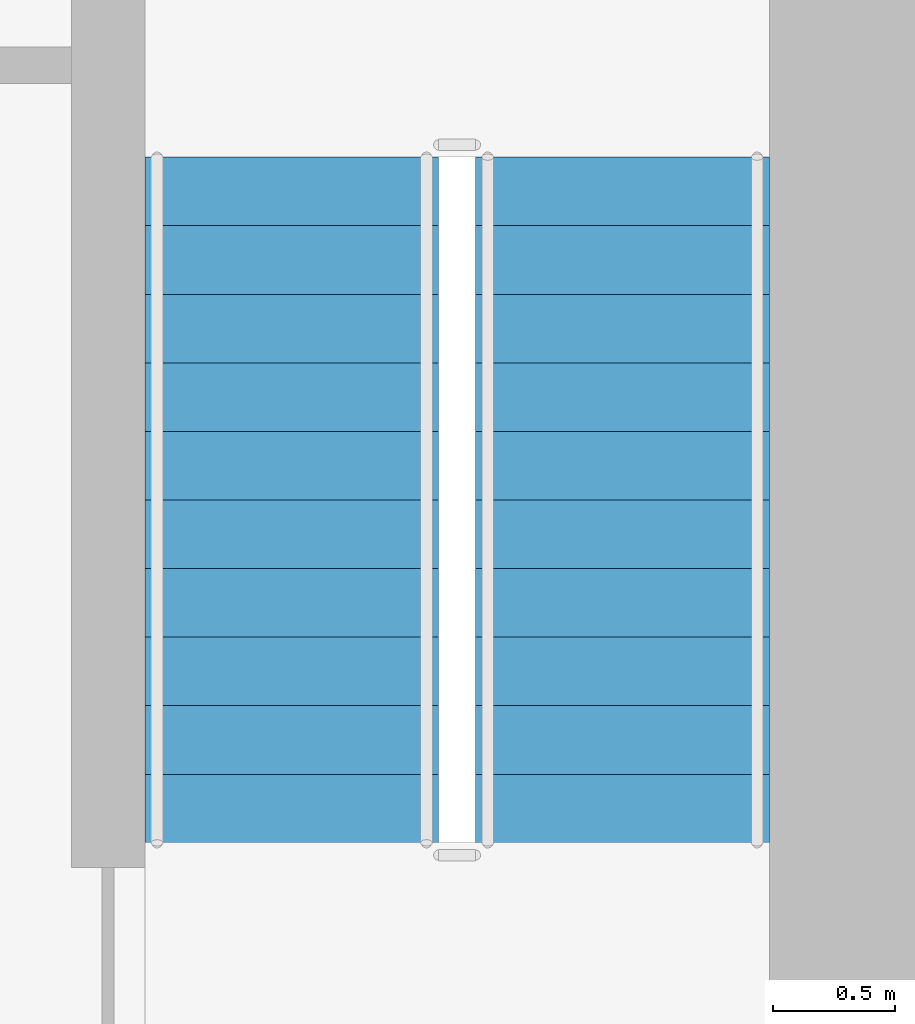
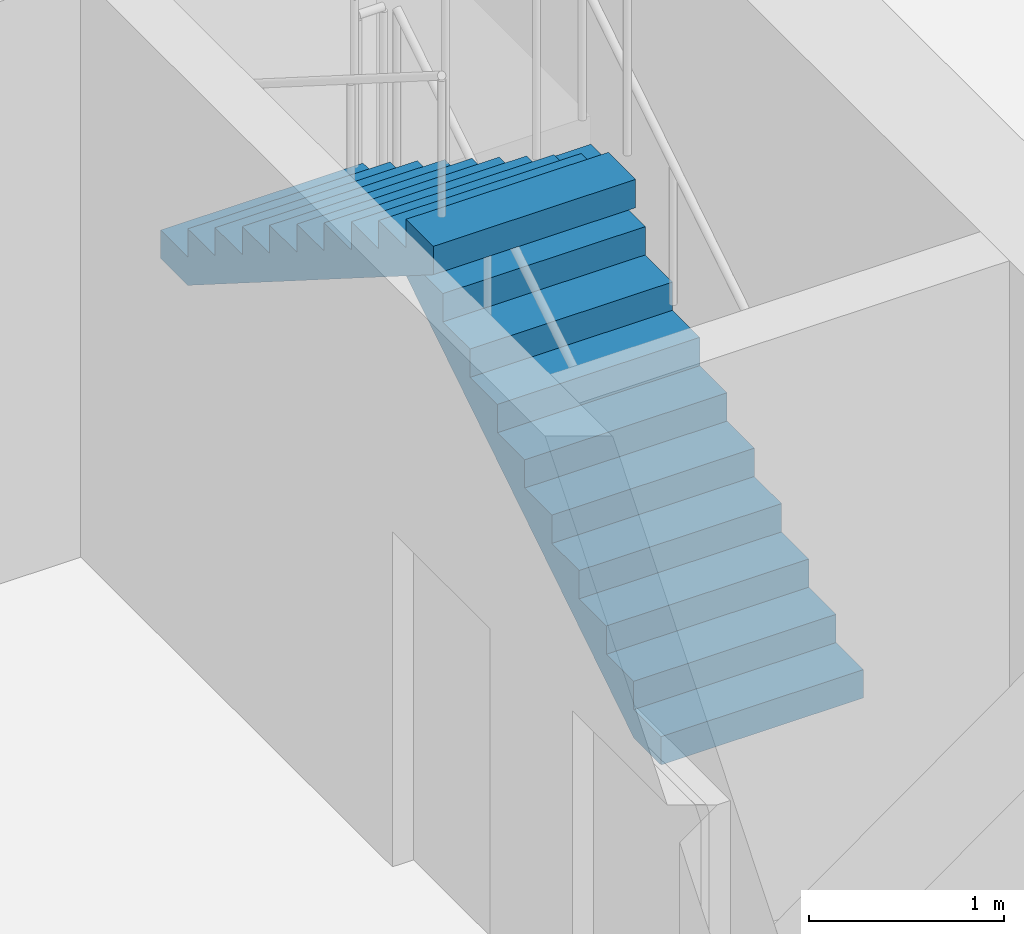
# One storey, part 6 of 7: 2 stair flights, 1 element without a shape of its own.
"""IFC4 building model written with IfcOpenShell, lengths in metres."""

from ifc_helpers import new_model, si_unit, direction, frame, origin, place, context, subcontext, project, spatial, polyline, outline, extrude, material, type_object, element, aggregate, save


model = new_model("IFC4")

# Units and contexts
model_context = context("Model", 3, precision=1e-05, world=origin(), true_north=direction((0.0, 1.0)))
body_context = subcontext(model_context, "Body", "Model", "MODEL_VIEW")
ifc_project = project(units=[si_unit("LENGTHUNIT", "METRE"), si_unit("AREAUNIT", "SQUARE_METRE"), si_unit("VOLUMEUNIT", "CUBIC_METRE"), si_unit("PLANEANGLEUNIT", "RADIAN"), si_unit("MASSUNIT", "GRAM", prefix="KILO")], contexts=[model_context])

# Site, building, storey
site_placement = place(None, origin())
site = spatial("IfcSite", under=ifc_project, at=site_placement, CompositionType="ELEMENT")
building_placement = place(site_placement, origin())
building = spatial("IfcBuilding", under=site, at=building_placement, Name="Aloe Facet Convention Tower", CompositionType="ELEMENT")
storey_placement = place(building_placement, frame((0.0, 0.0, 171.5)))
storey = spatial("IfcBuildingStorey", under=building, at=storey_placement, Name="L43", CompositionType="ELEMENT", Elevation=171.5)

# Stair, stair flights
ifc_material_1 = material(Name="Concrete C50/60", Category="concrete")
stair_type = type_object("IfcStairType", Name="CR-ST-22R", PredefinedType="HALF_TURN_STAIR", material=ifc_material_1)
stair_placement = place(storey_placement, origin())
stair = element("IfcStair", 1, at=stair_placement, inside=storey, type_object=stair_type, Name="L43 Protected exit stair ST2", PredefinedType="HALF_TURN_STAIR")
ifc_material_2 = material(Name="Concrete C50/60", Category="concrete")
stair_flight_type = type_object("IfcStairFlightType", Name="CR-SFL-22R", PredefinedType="STRAIGHT", material=ifc_material_2)
stair_flight_1_placement = place(storey_placement, frame((89.800048828125, 128.949951171875, 0.0), z_axis=(0.0, 0.0, 1.0), x_axis=(0.0, 1.0, 0.0)))
stair_flight_1 = element("IfcStairFlight", 2, at=stair_flight_1_placement, type_object=stair_flight_type, Name="ST2 flight 1", NumberOfRisers=11, NumberOfTreads=10, PredefinedType="STRAIGHT", RiserHeight=0.177272727, TreadLength=0.28, context=body_context, shape_type="SweptSolid", body=[
    extrude(outline(polyline([(0.0, 0.0), (0.0, 0.17724609375), (0.280029296875, 0.17724609375), (0.280029296875, 0.3544921875), (0.56005859375, 0.3544921875), (0.56005859375, 0.53173828125), (0.840087890625, 0.53173828125), (0.840087890625, 0.708984375), (1.1201171875, 0.708984375), (1.1201171875, 0.886474609375), (1.39990234375, 0.886474609375), (1.39990234375, 1.063720703125), (1.679931640625, 1.063720703125), (1.679931640625, 1.240966796875), (1.9599609375, 1.240966796875), (1.9599609375, 1.418212890625), (2.239990234375, 1.418212890625), (2.239990234375, 1.595458984375), (2.52001953125, 1.595458984375), (2.52001953125, 1.772705078125), (2.800048828125, 1.772705078125), (2.800048828125, 1.949951171875), (2.800048828125, 1.59521484375), (0.2802734375, 0.0), (0.0, 0.0)])), frame((0.0, 0.60009765625, 0.0), z_axis=(0.0, -1.0, 0.0), x_axis=(1.0, 0.0, 0.0)), (0.0, 0.0, 1.0), 1.199951171875),
])
stair_flight_2_placement = place(storey_placement, frame((88.449951171875, 131.75, 1.949951171875), z_axis=(0.0, 0.0, 1.0), x_axis=(0.0, -1.0, 0.0)))
stair_flight_2 = element("IfcStairFlight", 3, at=stair_flight_2_placement, type_object=stair_flight_type, Name="ST2 flight 2", NumberOfRisers=11, NumberOfTreads=10, PredefinedType="STRAIGHT", RiserHeight=0.177272727, TreadLength=0.28, context=body_context, shape_type="SweptSolid", body=[
    extrude(outline(polyline([(0.0, 0.0), (0.0, 0.17724609375), (0.280029296875, 0.17724609375), (0.280029296875, 0.3544921875), (0.56005859375, 0.3544921875), (0.56005859375, 0.53173828125), (0.840087890625, 0.53173828125), (0.840087890625, 0.708984375), (1.1201171875, 0.708984375), (1.1201171875, 0.886474609375), (1.39990234375, 0.886474609375), (1.39990234375, 1.063720703125), (1.679931640625, 1.063720703125), (1.679931640625, 1.240966796875), (1.9599609375, 1.240966796875), (1.9599609375, 1.418212890625), (2.239990234375, 1.418212890625), (2.239990234375, 1.595458984375), (2.52001953125, 1.595458984375), (2.52001953125, 1.772705078125), (2.800048828125, 1.772705078125), (2.800048828125, 1.949951171875), (2.800048828125, 1.59521484375), (0.2802734375, 0.0), (0.0, 0.0)])), frame((0.0, 0.60009765625, 0.0), z_axis=(0.0, -1.0, 0.0), x_axis=(1.0, 0.0, 0.0)), (0.0, 0.0, 1.0), 1.199951171875),
])
aggregate(stair, [stair_flight_1, stair_flight_2])

save(model, "model.ifc")
